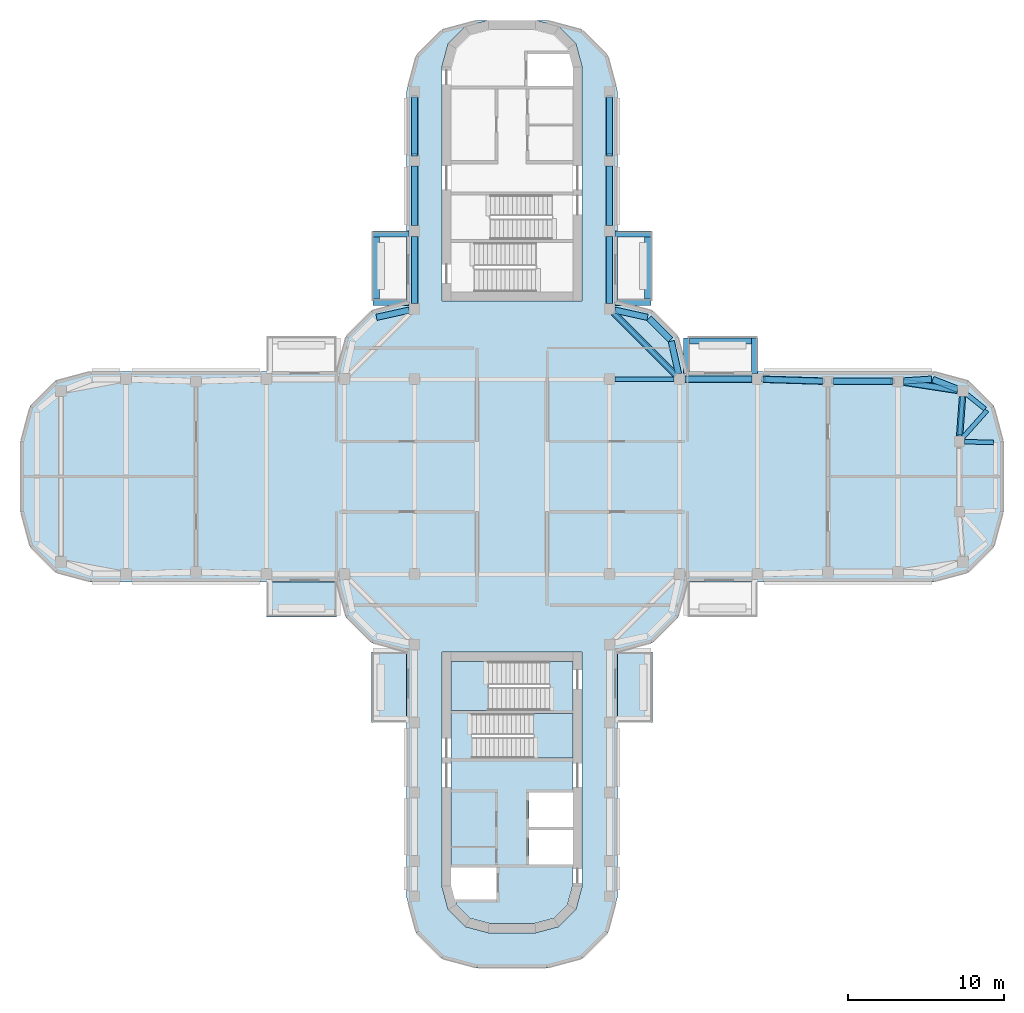
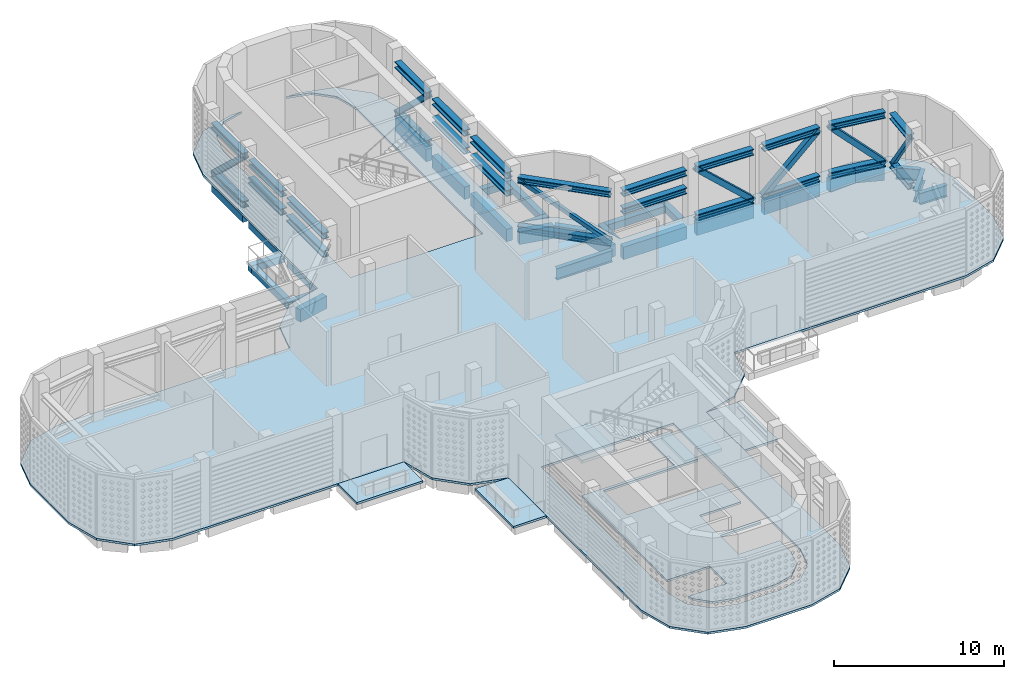
# One storey, part 3 of 20: 31 members, 28 beams, 7 slabs, 2 elements without a shape of their own.
"""IFC4 building model written with IfcOpenShell, lengths in metres."""

from ifc_helpers import new_model, si_unit, direction, frame, origin, origin_2d, place, context, subcontext, project, spatial, polyline, rectangle, hollow_rectangle, i_section, outline, extrude, material, layer, layer_set, material_profile, profile_set, type_object, element, aggregate, save


model = new_model("IFC4")

# Units and contexts
model_context = context("Model", 3, precision=1e-05, world=origin(), true_north=direction((0.0, 1.0)))
body_context = subcontext(model_context, "Body", "Model", "MODEL_VIEW")
ifc_project = project(units=[si_unit("LENGTHUNIT", "METRE"), si_unit("AREAUNIT", "SQUARE_METRE"), si_unit("VOLUMEUNIT", "CUBIC_METRE"), si_unit("PLANEANGLEUNIT", "RADIAN"), si_unit("MASSUNIT", "GRAM", prefix="KILO")], contexts=[model_context])

# Site, building, storey
site_placement = place(None, origin())
site = spatial("IfcSite", under=ifc_project, at=site_placement, CompositionType="ELEMENT")
building_placement = place(site_placement, origin())
building = spatial("IfcBuilding", under=site, at=building_placement, Name="Zarbagh Exchange Tower", CompositionType="ELEMENT")
storey_placement = place(building_placement, frame((0.0, 0.0, 244.800048828125)))
storey = spatial("IfcBuildingStorey", under=building, at=storey_placement, Name="L60", CompositionType="ELEMENT", Elevation=244.800048828125)

# Members
ifc_material_1 = material(Name="Steel ASTM A992 Gr 50", Category="steel")
ifc_material_profile_1 = material_profile(ifc_material_1, i_section(OverallWidth=0.408935546875, OverallDepth=0.42431640625, WebThickness=0.03271484375, FlangeThickness=0.052490234375, at=origin_2d()), Name="W14X283")
ifc_profile_set_1 = profile_set([ifc_material_profile_1], Name="Steel ASTM A992 Gr 50")
member_type_1 = type_object("IfcMemberType", Name="Belt truss chord W14X283", PredefinedType="CHORD", material=ifc_profile_set_1)
for number, where, z_axis, x_axis, name in (
    (1, (6.49755859375, 10.50244140625, 0.212158203125), (0.707106781187, -0.707106781187, 0.0), (0.707106781187, 0.707106781187, 0.0), "Belt truss chord"),
    (2, (6.49755859375, 10.50244140625, 3.7177734375), (0.707106781187, -0.707106781187, 0.0), (0.707106781187, 0.707106781187, 0.0), "Belt truss chord"),
):
    element("IfcMember", number, at=place(storey_placement, frame(where, z_axis=z_axis, x_axis=x_axis)), inside=storey, type_object=member_type_1, Name=name, PredefinedType="CHORD", context=body_context, shape_type="SweptSolid", body=[
        extrude(i_section(OverallWidth=0.408935546875, OverallDepth=0.42431640625, WebThickness=0.03271484375, FlangeThickness=0.052490234375, at=origin_2d()), origin(), (0.0, 0.0, 1.0), 5.663818359375),
    ])
for number, where, z_axis, x_axis, name in (
    (3, (28.882080078125, 5.1259765625, 0.212158203125), (-0.073520300379, -0.997293720742, 0.0), (0.997293720742, -0.073520300379, 0.0), "Belt truss chord"),
    (4, (28.882080078125, 5.1259765625, 3.7177734375), (-0.073520300379, -0.997293720742, 0.0), (0.997293720742, -0.073520300379, 0.0), "Belt truss chord"),
):
    element("IfcMember", number, at=place(storey_placement, frame(where, z_axis=z_axis, x_axis=x_axis)), inside=storey, type_object=member_type_1, Name=name, PredefinedType="CHORD", context=body_context, shape_type="SweptSolid", body=[
        extrude(i_section(OverallWidth=0.408935546875, OverallDepth=0.42431640625, WebThickness=0.03271484375, FlangeThickness=0.052490234375, at=origin_2d()), origin(), (0.0, 0.0, 1.0), 2.53369140625),
    ])
ifc_material_2 = material(Name="Steel ASTM A500 Gr C", Category="steel")
ifc_material_profile_2 = material_profile(ifc_material_2, hollow_rectangle(XDim=0.25390625, YDim=0.25390625, WallThickness=0.01171875, at=origin_2d()), Name="HSS10X10X1/2")
ifc_profile_set_2 = profile_set([ifc_material_profile_2], Name="Steel ASTM A500 Gr C")
member_type_2 = type_object("IfcMemberType", Name="Belt truss diagonal HSS10X10X1/2", PredefinedType="BRACE", material=ifc_profile_set_2)
member_1_placement = place(storey_placement, frame((10.50244140625, 6.49755859375, 0.212158203125), z_axis=(-0.6012530335, 0.6012530335, 0.52629799488), x_axis=(-0.707106781187, -0.707106781187, 0.0)))
element("IfcMember", 5, at=member_1_placement, inside=storey, type_object=member_type_2, Name="Belt truss diagonal", PredefinedType="BRACE", context=body_context, shape_type="SweptSolid", body=[
    extrude(hollow_rectangle(XDim=0.25390625, YDim=0.25390625, WallThickness=0.01171875, at=origin_2d()), origin(), (0.0, 0.0, 1.0), 6.660888671875),
])
member_2_placement = place(storey_placement, frame((28.882080078125, 5.1259765625, 0.212158203125), z_axis=(-0.043066430408, -0.584190766342, 0.810472967527), x_axis=(0.997293720742, -0.073520300379, 0.0)))
element("IfcMember", 6, at=member_2_placement, inside=storey, type_object=member_type_2, Name="Belt truss diagonal", PredefinedType="BRACE", context=body_context, shape_type="SweptSolid", body=[
    extrude(hollow_rectangle(XDim=0.25390625, YDim=0.25390625, WallThickness=0.01171875, at=origin_2d()), origin(), (0.0, 0.0, 1.0), 4.325439453125),
])

# Beams
ifc_material_profile_3 = material_profile(ifc_material_1, i_section(OverallWidth=0.2919921875, OverallDepth=0.835693359375, WebThickness=0.013916015625, FlangeThickness=0.018798828125, at=origin_2d()), Name="W33X118")
ifc_profile_set_3 = profile_set([ifc_material_profile_3], Name="Steel ASTM A992 Gr 50")
beam_type_1 = type_object("IfcBeamType", Name="Floor girder W33X118", PredefinedType="BEAM", material=ifc_profile_set_3)
beam_1_placement = place(storey_placement, frame((29.18115234375, 5.256103515625, -0.56787109375), z_axis=(0.780625690962, -0.624998824487, 0.0), x_axis=(0.624998824487, 0.780625690962, 0.0)))
element("IfcBeam", 7, at=beam_1_placement, inside=storey, type_object=beam_type_1, Name="Steel girder", PredefinedType="BEAM", context=body_context, shape_type="SweptSolid", body=[
    extrude(i_section(OverallWidth=0.2919921875, OverallDepth=0.835693359375, WebThickness=0.013916015625, FlangeThickness=0.018798828125, at=origin_2d()), origin(), (0.0, 0.0, 1.0), 1.469970703125),
])
beam_2_placement = place(storey_placement, frame((30.44873046875, 4.2412109375, -0.56787109375), z_axis=(-0.66615169279, -0.745816279115, 0.0), x_axis=(0.745816279115, -0.66615169279, 0.0)))
element("IfcBeam", 8, at=beam_2_placement, inside=storey, type_object=beam_type_1, Name="Steel girder", PredefinedType="BEAM", context=body_context, shape_type="SweptSolid", body=[
    extrude(i_section(OverallWidth=0.2919921875, OverallDepth=0.835693359375, WebThickness=0.013916015625, FlangeThickness=0.018798828125, at=origin_2d()), origin(), (0.0, 0.0, 1.0), 2.31982421875),
])
beam_3_placement = place(storey_placement, frame((29.02001953125, 2.239990234375, -0.56787109375), z_axis=(0.999603805015, -0.028146633904, 0.0), x_axis=(0.028146633904, 0.999603805015, 0.0)))
element("IfcBeam", 9, at=beam_3_placement, inside=storey, type_object=beam_type_1, Name="Steel girder", PredefinedType="BEAM", context=body_context, shape_type="SweptSolid", body=[
    extrude(i_section(OverallWidth=0.2919921875, OverallDepth=0.835693359375, WebThickness=0.013916015625, FlangeThickness=0.018798828125, at=origin_2d()), origin(), (0.0, 0.0, 1.0), 1.8388671875),
])
beam_4_placement = place(storey_placement, frame((6.60009765625, 6.25, -0.56787109375), z_axis=(1.0, 0.0, 0.0), x_axis=(0.0, 1.0, 0.0)))
element("IfcBeam", 10, at=beam_4_placement, inside=storey, type_object=beam_type_1, Name="Steel girder", PredefinedType="BEAM", context=body_context, shape_type="SweptSolid", body=[
    extrude(i_section(OverallWidth=0.2919921875, OverallDepth=0.835693359375, WebThickness=0.013916015625, FlangeThickness=0.018798828125, at=origin_2d()), origin(), (0.0, 0.0, 1.0), 3.7998046875),
])

# Members
ifc_material_profile_4 = material_profile(ifc_material_1, i_section(OverallWidth=0.41650390625, OverallDepth=0.444580078125, WebThickness=0.0390625, FlangeThickness=0.062744140625, at=origin_2d()), Name="W14X342")
ifc_profile_set_4 = profile_set([ifc_material_profile_4], Name="Steel ASTM A992 Gr 50")
member_type_3 = type_object("IfcMemberType", Name="Outrigger truss chord W14X342", PredefinedType="CHORD", material=ifc_profile_set_4)
for number, where, z_axis, x_axis, name in (
    (11, (-6.25, 11.10009765625, 2.42236328125), (0.0, 1.0, 0.0), (-1.0, 0.0, 0.0), "Outrigger truss chord"),
    (12, (-6.25, 11.10009765625, 3.707763671875), (0.0, 1.0, 0.0), (-1.0, 0.0, 0.0), "Outrigger truss chord"),
):
    element("IfcMember", number, at=place(storey_placement, frame(where, z_axis=z_axis, x_axis=x_axis)), inside=storey, type_object=member_type_3, Name=name, PredefinedType="CHORD", context=body_context, shape_type="SweptSolid", body=[
        extrude(i_section(OverallWidth=0.41650390625, OverallDepth=0.444580078125, WebThickness=0.0390625, FlangeThickness=0.062744140625, at=origin_2d()), origin(), (0.0, 0.0, 1.0), 4.2998046875),
    ])
for number, where, z_axis, x_axis, name in (
    (13, (-6.25, 16.10009765625, 2.42236328125), (0.0, 1.0, 0.0), (-1.0, 0.0, 0.0), "Outrigger truss chord"),
    (14, (-6.25, 16.10009765625, 3.707763671875), (0.0, 1.0, 0.0), (-1.0, 0.0, 0.0), "Outrigger truss chord"),
):
    element("IfcMember", number, at=place(storey_placement, frame(where, z_axis=z_axis, x_axis=x_axis)), inside=storey, type_object=member_type_3, Name=name, PredefinedType="CHORD", context=body_context, shape_type="SweptSolid", body=[
        extrude(i_section(OverallWidth=0.41650390625, OverallDepth=0.444580078125, WebThickness=0.0390625, FlangeThickness=0.062744140625, at=origin_2d()), origin(), (0.0, 0.0, 1.0), 3.7998046875),
    ])
for number, where, z_axis, x_axis, name in (
    (15, (-6.25, 20.60009765625, 0.22216796875), (0.0, 1.0, 0.0), (-1.0, 0.0, 0.0), "Outrigger truss chord"),
    (16, (-6.25, 20.60009765625, 3.707763671875), (0.0, 1.0, 0.0), (-1.0, 0.0, 0.0), "Outrigger truss chord"),
    (17, (6.25, 24.300048828125, 0.22216796875), (0.0, -1.0, 0.0), (1.0, 0.0, 0.0), "Outrigger truss chord"),
    (18, (6.25, 24.300048828125, 3.707763671875), (0.0, -1.0, 0.0), (1.0, 0.0, 0.0), "Outrigger truss chord"),
):
    element("IfcMember", number, at=place(storey_placement, frame(where, z_axis=z_axis, x_axis=x_axis)), inside=storey, type_object=member_type_3, Name=name, PredefinedType="CHORD", context=body_context, shape_type="SweptSolid", body=[
        extrude(i_section(OverallWidth=0.41650390625, OverallDepth=0.444580078125, WebThickness=0.0390625, FlangeThickness=0.062744140625, at=origin_2d()), origin(), (0.0, 0.0, 1.0), 3.699951171875),
    ])
for number, where, z_axis, x_axis, name in (
    (19, (6.25, 19.89990234375, 2.42236328125), (0.0, -1.0, 0.0), (1.0, 0.0, 0.0), "Outrigger truss chord"),
    (20, (6.25, 19.89990234375, 3.707763671875), (0.0, -1.0, 0.0), (1.0, 0.0, 0.0), "Outrigger truss chord"),
):
    element("IfcMember", number, at=place(storey_placement, frame(where, z_axis=z_axis, x_axis=x_axis)), inside=storey, type_object=member_type_3, Name=name, PredefinedType="CHORD", context=body_context, shape_type="SweptSolid", body=[
        extrude(i_section(OverallWidth=0.41650390625, OverallDepth=0.444580078125, WebThickness=0.0390625, FlangeThickness=0.062744140625, at=origin_2d()), origin(), (0.0, 0.0, 1.0), 3.7998046875),
    ])
for number, where, z_axis, x_axis, name in (
    (21, (6.25, 15.39990234375, 2.42236328125), (0.0, -1.0, 0.0), (1.0, 0.0, 0.0), "Outrigger truss chord"),
    (22, (6.25, 15.39990234375, 3.707763671875), (0.0, -1.0, 0.0), (1.0, 0.0, 0.0), "Outrigger truss chord"),
    (23, (11.10009765625, 6.25, 2.42236328125), (1.0, 0.0, 0.0), (0.0, 1.0, 0.0), "Outrigger truss chord"),
    (24, (11.10009765625, 6.25, 3.707763671875), (1.0, 0.0, 0.0), (0.0, 1.0, 0.0), "Outrigger truss chord"),
):
    element("IfcMember", number, at=place(storey_placement, frame(where, z_axis=z_axis, x_axis=x_axis)), inside=storey, type_object=member_type_3, Name=name, PredefinedType="CHORD", context=body_context, shape_type="SweptSolid", body=[
        extrude(i_section(OverallWidth=0.41650390625, OverallDepth=0.444580078125, WebThickness=0.0390625, FlangeThickness=0.062744140625, at=origin_2d()), origin(), (0.0, 0.0, 1.0), 4.2998046875),
    ])
for number, where, z_axis, x_axis, name in (
    (25, (16.099853515625, 6.239013671875, 0.22216796875), (0.999516950199, -0.031078389046, 0.0), (0.031078389046, 0.999516950199, 0.0), "Outrigger truss chord"),
    (26, (16.099853515625, 6.239013671875, 3.707763671875), (0.999516950199, -0.031078389046, 0.0), (0.031078389046, 0.999516950199, 0.0), "Outrigger truss chord"),
):
    element("IfcMember", number, at=place(storey_placement, frame(where, z_axis=z_axis, x_axis=x_axis)), inside=storey, type_object=member_type_3, Name=name, PredefinedType="CHORD", context=body_context, shape_type="SweptSolid", body=[
        extrude(i_section(OverallWidth=0.41650390625, OverallDepth=0.444580078125, WebThickness=0.0390625, FlangeThickness=0.062744140625, at=origin_2d()), origin(), (0.0, 0.0, 1.0), 3.80224609375),
    ])
for number, where, z_axis, x_axis, name in (
    (27, (20.60009765625, 6.110107421875, 0.22216796875), (1.0, 0.0, 0.0), (0.0, 1.0, 0.0), "Outrigger truss chord"),
    (28, (20.60009765625, 6.110107421875, 3.707763671875), (1.0, 0.0, 0.0), (0.0, 1.0, 0.0), "Outrigger truss chord"),
):
    element("IfcMember", number, at=place(storey_placement, frame(where, z_axis=z_axis, x_axis=x_axis)), inside=storey, type_object=member_type_3, Name=name, PredefinedType="CHORD", context=body_context, shape_type="SweptSolid", body=[
        extrude(i_section(OverallWidth=0.41650390625, OverallDepth=0.444580078125, WebThickness=0.0390625, FlangeThickness=0.062744140625, at=origin_2d()), origin(), (0.0, 0.0, 1.0), 3.7998046875),
    ])
for number, where, z_axis, x_axis, name in (
    (29, (25.095947265625, 6.05712890625, 0.22216796875), (0.988540131327, -0.150958301382, 0.0), (0.150958301382, 0.988540131327, 0.0), "Outrigger truss chord"),
    (30, (25.095947265625, 6.05712890625, 3.707763671875), (0.988540131327, -0.150958301382, 0.0), (0.150958301382, 0.988540131327, 0.0), "Outrigger truss chord"),
):
    element("IfcMember", number, at=place(storey_placement, frame(where, z_axis=z_axis, x_axis=x_axis)), inside=storey, type_object=member_type_3, Name=name, PredefinedType="CHORD", context=body_context, shape_type="SweptSolid", body=[
        extrude(i_section(OverallWidth=0.41650390625, OverallDepth=0.444580078125, WebThickness=0.0390625, FlangeThickness=0.062744140625, at=origin_2d()), origin(), (0.0, 0.0, 1.0), 3.50634765625),
    ])
ifc_material_profile_5 = material_profile(ifc_material_2, hollow_rectangle(XDim=0.355712890625, YDim=0.355712890625, WallThickness=0.014892578125, at=origin_2d()), Name="HSS14X14X5/8")
ifc_profile_set_5 = profile_set([ifc_material_profile_5], Name="Steel ASTM A500 Gr C")
member_type_4 = type_object("IfcMemberType", Name="Outrigger truss diagonal HSS14X14X5/8", PredefinedType="BRACE", material=ifc_profile_set_5)
for number, where, z_axis, x_axis, name in (
    (31, (-6.25, 24.300048828125, 0.22216796875), (0.0, -0.727877017093, 0.68570769865), (1.0, 0.0, 0.0), "Outrigger truss diagonal"),
    (32, (6.25, 24.300048828125, 0.22216796875), (0.0, -0.727877017093, 0.68570769865), (1.0, 0.0, 0.0), "Outrigger truss diagonal"),
):
    element("IfcMember", number, at=place(storey_placement, frame(where, z_axis=z_axis, x_axis=x_axis)), inside=storey, type_object=member_type_4, Name=name, PredefinedType="BRACE", context=body_context, shape_type="SweptSolid", body=[
        extrude(hollow_rectangle(XDim=0.355712890625, YDim=0.355712890625, WallThickness=0.014892578125, at=origin_2d()), origin(), (0.0, 0.0, 1.0), 5.083251953125),
    ])
member_3_placement = place(storey_placement, frame((19.900146484375, 6.120849609375, 0.22216796875), z_axis=(-0.736768111105, 0.022908632004, 0.675757312235), x_axis=(-0.031078389046, -0.999516950199, 0.0)))
element("IfcMember", 33, at=member_3_placement, inside=storey, type_object=member_type_4, Name="Outrigger truss diagonal", PredefinedType="BRACE", context=body_context, shape_type="SweptSolid", body=[
    extrude(hollow_rectangle(XDim=0.355712890625, YDim=0.355712890625, WallThickness=0.014892578125, at=origin_2d()), origin(), (0.0, 0.0, 1.0), 5.157958984375),
])
member_4_placement = place(storey_placement, frame((20.60009765625, 6.110107421875, 0.22216796875), z_axis=(0.736918250587, 0.0, 0.675981872502), x_axis=(0.0, 1.0, 0.0)))
element("IfcMember", 34, at=member_4_placement, inside=storey, type_object=member_type_4, Name="Outrigger truss diagonal", PredefinedType="BRACE", context=body_context, shape_type="SweptSolid", body=[
    extrude(hollow_rectangle(XDim=0.355712890625, YDim=0.355712890625, WallThickness=0.014892578125, at=origin_2d()), origin(), (0.0, 0.0, 1.0), 5.15625),
])
member_5_placement = place(storey_placement, frame((28.56201171875, 5.52783203125, 0.22216796875), z_axis=(-0.701064825451, 0.107058430766, 0.705015321051), x_axis=(-0.150958301382, -0.988540131327, 0.0)))
element("IfcMember", 35, at=member_5_placement, inside=storey, type_object=member_type_4, Name="Outrigger truss diagonal", PredefinedType="BRACE", context=body_context, shape_type="SweptSolid", body=[
    extrude(hollow_rectangle(XDim=0.355712890625, YDim=0.355712890625, WallThickness=0.014892578125, at=origin_2d()), origin(), (0.0, 0.0, 1.0), 4.944091796875),
])

# Beams
ifc_material_3 = material(Name="Concrete C40/50", Category="concrete")
ifc_material_profile_6 = material_profile(ifc_material_3, rectangle(XDim=0.39990234375, YDim=0.5, at=origin_2d()), Name="RC bay edge beam 400 x 500 C40/50")
ifc_profile_set_6 = profile_set([ifc_material_profile_6], Name="Concrete C40/50")
beam_type_2 = type_object("IfcBeamType", Name="RC bay edge beam 400 x 500 C40/50", PredefinedType="BEAM", material=ifc_profile_set_6)
for number, where, z_axis, x_axis, name in (
    (36, (8.699951171875, 11.3798828125, -0.400146484375), (0.0, 1.0, 0.0), (-1.0, 0.0, 0.0), "RC bay edge beam"),
    (37, (11.3798828125, 8.699951171875, -0.400146484375), (1.0, 0.0, 0.0), (0.0, 1.0, 0.0), "RC bay edge beam"),
    (38, (-8.699951171875, 11.3798828125, -0.400146484375), (0.0, 1.0, 0.0), (-1.0, 0.0, 0.0), "RC bay edge beam"),
):
    element("IfcBeam", number, at=place(storey_placement, frame(where, z_axis=z_axis, x_axis=x_axis)), inside=storey, type_object=beam_type_2, Name=name, PredefinedType="BEAM", context=body_context, shape_type="SweptSolid", body=[
        extrude(rectangle(XDim=0.39990234375, YDim=0.5, at=origin_2d()), origin(), (0.0, 0.0, 1.0), 3.97021484375),
    ])
ifc_material_profile_7 = material_profile(ifc_material_3, rectangle(XDim=0.39990234375, YDim=0.5, at=origin_2d()), Name="RC cantilever beam 400 x 500 C40/50")
ifc_profile_set_7 = profile_set([ifc_material_profile_7], Name="Concrete C40/50")
beam_type_3 = type_object("IfcBeamType", Name="RC cantilever beam 400 x 500 C40/50", PredefinedType="BEAM", material=ifc_profile_set_7)
for number, where, z_axis, x_axis, name in (
    (39, (6.60009765625, 11.179931640625, -0.400146484375), (1.0, 0.0, 0.0), (0.0, 1.0, 0.0), "RC cantilever beam"),
    (40, (6.60009765625, 15.550048828125, -0.400146484375), (1.0, 0.0, 0.0), (0.0, 1.0, 0.0), "RC cantilever beam"),
    (41, (11.179931640625, 6.60009765625, -0.400146484375), (0.0, 1.0, 0.0), (-1.0, 0.0, 0.0), "RC cantilever beam"),
    (42, (15.550048828125, 6.60009765625, -0.400146484375), (0.0, 1.0, 0.0), (-1.0, 0.0, 0.0), "RC cantilever beam"),
    (43, (-6.60009765625, 11.179931640625, -0.400146484375), (-1.0, 0.0, 0.0), (0.0, -1.0, 0.0), "RC cantilever beam"),
    (44, (-6.60009765625, 15.550048828125, -0.400146484375), (-1.0, 0.0, 0.0), (0.0, -1.0, 0.0), "RC cantilever beam"),
):
    element("IfcBeam", number, at=place(storey_placement, frame(where, z_axis=z_axis, x_axis=x_axis)), inside=storey, type_object=beam_type_3, Name=name, PredefinedType="BEAM", context=body_context, shape_type="SweptSolid", body=[
        extrude(rectangle(XDim=0.39990234375, YDim=0.5, at=origin_2d()), origin(), (0.0, 0.0, 1.0), 2.2998046875),
    ])
ifc_material_4 = material(Name="Concrete C50/60", Category="concrete")
ifc_material_profile_8 = material_profile(ifc_material_4, rectangle(XDim=0.39990234375, YDim=0.89990234375, at=origin_2d()), Name="RC spandrel beam 400 x 900 C50/60")
ifc_profile_set_8 = profile_set([ifc_material_profile_8], Name="Concrete C50/60")
beam_type_4 = type_object("IfcBeamType", Name="RC spandrel beam 400 x 900 C50/60", PredefinedType="SPANDREL", material=ifc_profile_set_8)
beam_5_placement = place(storey_placement, frame((-8.68408203125, 10.21142578125, -0.60009765625), z_axis=(0.97639036545, 0.216013551096, 0.0), x_axis=(-0.216013551096, 0.97639036545, 0.0)))
element("IfcBeam", 45, at=beam_5_placement, inside=storey, type_object=beam_type_4, Name="RC spandrel beam", PredefinedType="SPANDREL", context=body_context, shape_type="SweptSolid", body=[
    extrude(rectangle(XDim=0.39990234375, YDim=0.89990234375, at=origin_2d()), origin(), (0.0, 0.0, 1.0), 2.142822265625),
])
beam_6_placement = place(storey_placement, frame((-6.25, 11.10009765625, -0.60009765625), z_axis=(0.0, 1.0, 0.0), x_axis=(-1.0, 0.0, 0.0)))
element("IfcBeam", 46, at=beam_6_placement, inside=storey, type_object=beam_type_4, Name="RC spandrel beam", PredefinedType="SPANDREL", context=body_context, shape_type="SweptSolid", body=[
    extrude(rectangle(XDim=0.39990234375, YDim=0.89990234375, at=origin_2d()), origin(), (0.0, 0.0, 1.0), 4.2998046875),
])
beam_7_placement = place(storey_placement, frame((-6.25, 16.10009765625, -0.60009765625), z_axis=(0.0, 1.0, 0.0), x_axis=(-1.0, 0.0, 0.0)))
element("IfcBeam", 47, at=beam_7_placement, inside=storey, type_object=beam_type_4, Name="RC spandrel beam", PredefinedType="SPANDREL", context=body_context, shape_type="SweptSolid", body=[
    extrude(rectangle(XDim=0.39990234375, YDim=0.89990234375, at=origin_2d()), origin(), (0.0, 0.0, 1.0), 3.7998046875),
])
for number, where, z_axis, x_axis, name in (
    (48, (-6.25, 20.60009765625, -0.60009765625), (0.0, 1.0, 0.0), (-1.0, 0.0, 0.0), "RC spandrel beam"),
    (49, (6.25, 24.300048828125, -0.60009765625), (0.0, -1.0, 0.0), (1.0, 0.0, 0.0), "RC spandrel beam"),
):
    element("IfcBeam", number, at=place(storey_placement, frame(where, z_axis=z_axis, x_axis=x_axis)), inside=storey, type_object=beam_type_4, Name=name, PredefinedType="SPANDREL", context=body_context, shape_type="SweptSolid", body=[
        extrude(rectangle(XDim=0.39990234375, YDim=0.89990234375, at=origin_2d()), origin(), (0.0, 0.0, 1.0), 3.699951171875),
    ])
beam_8_placement = place(storey_placement, frame((6.25, 19.89990234375, -0.60009765625), z_axis=(0.0, -1.0, 0.0), x_axis=(1.0, 0.0, 0.0)))
element("IfcBeam", 50, at=beam_8_placement, inside=storey, type_object=beam_type_4, Name="RC spandrel beam", PredefinedType="SPANDREL", context=body_context, shape_type="SweptSolid", body=[
    extrude(rectangle(XDim=0.39990234375, YDim=0.89990234375, at=origin_2d()), origin(), (0.0, 0.0, 1.0), 3.7998046875),
])
beam_9_placement = place(storey_placement, frame((6.25, 15.39990234375, -0.60009765625), z_axis=(0.0, -1.0, 0.0), x_axis=(1.0, 0.0, 0.0)))
element("IfcBeam", 51, at=beam_9_placement, inside=storey, type_object=beam_type_4, Name="RC spandrel beam", PredefinedType="SPANDREL", context=body_context, shape_type="SweptSolid", body=[
    extrude(rectangle(XDim=0.39990234375, YDim=0.89990234375, at=origin_2d()), origin(), (0.0, 0.0, 1.0), 4.2998046875),
])
beam_10_placement = place(storey_placement, frame((6.591796875, 10.67431640625, -0.60009765625), z_axis=(0.97639036545, -0.216013551096, 0.0), x_axis=(0.216013551096, 0.97639036545, 0.0)))
element("IfcBeam", 52, at=beam_10_placement, inside=storey, type_object=beam_type_4, Name="RC spandrel beam", PredefinedType="SPANDREL", context=body_context, shape_type="SweptSolid", body=[
    extrude(rectangle(XDim=0.39990234375, YDim=0.89990234375, at=origin_2d()), origin(), (0.0, 0.0, 1.0), 2.142822265625),
])
beam_11_placement = place(storey_placement, frame((8.782470703125, 10.15771484375, -0.60009765625), z_axis=(0.707106781187, -0.707106781187, 0.0), x_axis=(0.707106781187, 0.707106781187, 0.0)))
element("IfcBeam", 53, at=beam_11_placement, inside=storey, type_object=beam_type_4, Name="RC spandrel beam", PredefinedType="SPANDREL", context=body_context, shape_type="SweptSolid", body=[
    extrude(rectangle(XDim=0.39990234375, YDim=0.89990234375, at=origin_2d()), origin(), (0.0, 0.0, 1.0), 1.94482421875),
])
beam_12_placement = place(storey_placement, frame((10.21142578125, 8.68408203125, -0.60009765625), z_axis=(0.216013551096, -0.97639036545, 0.0), x_axis=(0.97639036545, 0.216013551096, 0.0)))
element("IfcBeam", 54, at=beam_12_placement, inside=storey, type_object=beam_type_4, Name="RC spandrel beam", PredefinedType="SPANDREL", context=body_context, shape_type="SweptSolid", body=[
    extrude(rectangle(XDim=0.39990234375, YDim=0.89990234375, at=origin_2d()), origin(), (0.0, 0.0, 1.0), 2.142822265625),
])
beam_13_placement = place(storey_placement, frame((11.10009765625, 6.25, -0.60009765625), z_axis=(1.0, 0.0, 0.0), x_axis=(0.0, 1.0, 0.0)))
element("IfcBeam", 55, at=beam_13_placement, inside=storey, type_object=beam_type_4, Name="RC spandrel beam", PredefinedType="SPANDREL", context=body_context, shape_type="SweptSolid", body=[
    extrude(rectangle(XDim=0.39990234375, YDim=0.89990234375, at=origin_2d()), origin(), (0.0, 0.0, 1.0), 4.2998046875),
])
beam_14_placement = place(storey_placement, frame((16.099853515625, 6.239013671875, -0.60009765625), z_axis=(0.999516950199, -0.031078389046, 0.0), x_axis=(0.031078389046, 0.999516950199, 0.0)))
element("IfcBeam", 56, at=beam_14_placement, inside=storey, type_object=beam_type_4, Name="RC spandrel beam", PredefinedType="SPANDREL", context=body_context, shape_type="SweptSolid", body=[
    extrude(rectangle(XDim=0.39990234375, YDim=0.89990234375, at=origin_2d()), origin(), (0.0, 0.0, 1.0), 3.80224609375),
])
beam_15_placement = place(storey_placement, frame((20.60009765625, 6.110107421875, -0.60009765625), z_axis=(1.0, 0.0, 0.0), x_axis=(0.0, 1.0, 0.0)))
element("IfcBeam", 57, at=beam_15_placement, inside=storey, type_object=beam_type_4, Name="RC spandrel beam", PredefinedType="SPANDREL", context=body_context, shape_type="SweptSolid", body=[
    extrude(rectangle(XDim=0.39990234375, YDim=0.89990234375, at=origin_2d()), origin(), (0.0, 0.0, 1.0), 3.7998046875),
])
beam_16_placement = place(storey_placement, frame((25.099365234375, 6.13232421875, -0.60009765625), z_axis=(0.997943601797, 0.064098109429, 0.0), x_axis=(-0.064098109429, 0.997943601797, 0.0)))
element("IfcBeam", 58, at=beam_16_placement, inside=storey, type_object=beam_type_4, Name="RC spandrel beam", PredefinedType="SPANDREL", context=body_context, shape_type="SweptSolid", body=[
    extrude(rectangle(XDim=0.39990234375, YDim=0.89990234375, at=origin_2d()), origin(), (0.0, 0.0, 1.0), 1.7939453125),
])
beam_17_placement = place(storey_placement, frame((26.9755859375, 6.233642578125, -0.60009765625), z_axis=(0.930818525178, -0.365481700207, 0.0), x_axis=(0.365481700207, 0.930818525178, 0.0)))
element("IfcBeam", 59, at=beam_17_placement, inside=storey, type_object=beam_type_4, Name="RC spandrel beam", PredefinedType="SPANDREL", context=body_context, shape_type="SweptSolid", body=[
    extrude(rectangle(XDim=0.39990234375, YDim=0.89990234375, at=origin_2d()), origin(), (0.0, 0.0, 1.0), 1.72607421875),
])

# Slabs
ifc_layer_1 = layer(ifc_material_3, 0.14990234375)
ifc_layer_set_1 = layer_set([ifc_layer_1], Name="Composite floor slab 150 C40/50")
slab_type_1 = type_object("IfcSlabType", Name="Composite floor slab 150 C40/50", PredefinedType="FLOOR", material=ifc_layer_set_1)
slab_1_placement = place(storey_placement, frame((0.0, 0.0, -0.150146484375)))
element("IfcSlab", 60, at=slab_1_placement, inside=storey, type_object=slab_type_1, Name="S5 composite floor slab", PredefinedType="FLOOR", context=body_context, shape_type="SweptSolid", body=[
    extrude(outline(polyline([(-2.25, -31.5), (-4.5, -30.897216796875), (-6.147216796875, -29.25), (-6.75, -27.0), (-6.75, -11.25), (-9.0, -10.647216796875), (-10.647216796875, -9.0), (-11.25, -6.75), (-27.0, -6.75), (-29.25, -6.147216796875), (-30.897216796875, -4.5), (-31.5, -2.25), (-31.5, 2.25), (-30.897216796875, 4.5), (-29.25, 6.147216796875), (-27.0, 6.75), (-11.25, 6.75), (-10.647216796875, 9.0), (-9.0, 10.647216796875), (-6.75, 11.25), (-6.75, 24.75), (-6.147216796875, 27.0), (-4.5, 28.647216796875), (-2.25, 29.25), (-1.5, 29.25), (-3.0, 28.84814453125), (-4.09814453125, 27.75), (-4.5, 26.25), (-4.5, 11.25), (4.5, 11.25), (4.5, 26.25), (4.09814453125, 27.75), (3.0, 28.84814453125), (1.5, 29.25), (2.25, 29.25), (4.5, 28.647216796875), (6.147216796875, 27.0), (6.75, 24.75), (6.75, 11.25), (9.0, 10.647216796875), (10.647216796875, 9.0), (11.25, 6.75), (27.0, 6.75), (29.25, 6.147216796875), (30.897216796875, 4.5), (31.5, 2.25), (31.5, -2.25), (30.897216796875, -4.5), (29.25, -6.147216796875), (27.0, -6.75), (11.25, -6.75), (10.647216796875, -9.0), (9.0, -10.647216796875), (6.75, -11.25), (6.75, -27.0), (6.147216796875, -29.25), (4.5, -30.897216796875), (2.25, -31.5), (-2.25, -31.5)]), holes=[polyline([(-1.5, -29.25), (1.5, -29.25), (3.0, -28.84814453125), (4.09814453125, -27.75), (4.5, -26.25), (4.5, -11.25), (-4.5, -11.25), (-4.5, -26.25), (-4.09814453125, -27.75), (-3.0, -28.84814453125), (-1.5, -29.25)])]), origin(), (0.0, 0.0, 1.0), 0.150146484375),
])
ifc_layer_2 = layer(ifc_material_3, 0.14990234375)
ifc_layer_set_2 = layer_set([ifc_layer_2], Name="Core floor slab 150 C40/50")
slab_type_2 = type_object("IfcSlabType", Name="Core floor slab 150 C40/50", PredefinedType="FLOOR", material=ifc_layer_set_2)
slab_2_placement = place(storey_placement, frame((0.0, 0.0, -0.150146484375)))
element("IfcSlab", 61, at=slab_2_placement, inside=storey, type_object=slab_type_2, Name="S17 core S", PredefinedType="FLOOR", context=body_context, shape_type="SweptSolid", body=[
    extrude(outline(polyline([(-2.689453125, -28.31005859375), (-3.56005859375, -27.439453125), (-3.651123046875, -27.10009765625), (-1.0, -27.10009765625), (-1.0, -25.050048828125), (-3.89990234375, -25.050048828125), (-3.89990234375, -15.0), (2.39990234375, -15.0), (2.39990234375, -11.85009765625), (3.89990234375, -11.85009765625), (3.89990234375, -15.199951171875), (-2.550048828125, -15.199951171875), (-2.550048828125, -18.050048828125), (3.89990234375, -18.050048828125), (3.89990234375, -20.25), (1.10009765625, -20.25), (1.10009765625, -22.449951171875), (3.89990234375, -22.449951171875), (3.89990234375, -22.64990234375), (1.10009765625, -22.64990234375), (1.10009765625, -24.85009765625), (3.89990234375, -24.85009765625), (3.89990234375, -26.1708984375), (3.56005859375, -27.439453125), (2.689453125, -28.31005859375), (1.4208984375, -28.64990234375), (-1.4208984375, -28.64990234375), (-2.689453125, -28.31005859375)])), origin(), (0.0, 0.0, 1.0), 0.150146484375),
])

# Stair, slab
stair_type = type_object("IfcStairType", Name="Exit stair two-flight half-turn", PredefinedType="HALF_TURN_STAIR", material=ifc_material_3)
stair_1_placement = place(storey_placement, origin())
stair_1 = element("IfcStair", 62, at=stair_1_placement, inside=storey, type_object=stair_type, Name="exit stair ST3", PredefinedType="HALF_TURN_STAIR")
ifc_layer_3 = layer(ifc_material_3, 0.199951171875)
ifc_layer_set_3 = layer_set([ifc_layer_3], Name="Stair landing 200 mm")
slab_type_3 = type_object("IfcSlabType", Name="Stair landing 200 mm", PredefinedType="LANDING", material=ifc_layer_set_3)
slab_3_placement = place(storey_placement, frame((0.0, 0.0, 2.300048828125)))
slab_3 = element("IfcSlab", 63, at=slab_3_placement, type_object=slab_type_3, Name="ST3 landing 1", PredefinedType="LANDING", context=body_context, shape_type="SweptSolid", body=[
    extrude(outline(polyline([(1.3701171875, -18.050048828125), (3.89990234375, -18.050048828125), (3.89990234375, -15.199951171875), (1.3701171875, -15.199951171875), (1.3701171875, -18.050048828125)])), origin(), (0.0, 0.0, 1.0), 0.199951171875),
])
aggregate(stair_1, [slab_3])

stair_2_placement = place(storey_placement, origin())
stair_2 = element("IfcStair", 64, at=stair_2_placement, inside=storey, type_object=stair_type, Name="exit stair ST4", PredefinedType="HALF_TURN_STAIR")
slab_4_placement = place(storey_placement, frame((0.0, 0.0, 2.300048828125)))
slab_4 = element("IfcSlab", 65, at=slab_4_placement, type_object=slab_type_3, Name="ST4 landing 1", PredefinedType="LANDING", context=body_context, shape_type="SweptSolid", body=[
    extrude(outline(polyline([(-1.52001953125, -11.85009765625), (-3.89990234375, -11.85009765625), (-3.89990234375, -15.0), (-1.52001953125, -15.0), (-1.52001953125, -11.85009765625)])), origin(), (0.0, 0.0, 1.0), 0.199951171875),
])
aggregate(stair_2, [slab_4])

# Slabs
ifc_layer_4 = layer(ifc_material_3, 0.14990234375)
ifc_layer_set_4 = layer_set([ifc_layer_4], Name="Winter garden terrace slab 150 C40/50")
slab_type_4 = type_object("IfcSlabType", Name="Winter garden terrace slab 150 C40/50", PredefinedType="USERDEFINED", material=ifc_layer_set_4)
slab_5_placement = place(storey_placement, frame((0.0, 0.0, -0.150146484375)))
element("IfcSlab", 66, at=slab_5_placement, inside=storey, type_object=slab_type_4, Name="S9 winter garden terrace slab", ObjectType="Winter garden slab", PredefinedType="USERDEFINED", context=body_context, shape_type="SweptSolid", body=[
    extrude(outline(polyline([(9.0, -15.75), (9.0, -11.25), (6.75, -11.25), (6.75, -15.75), (9.0, -15.75)])), origin(), (0.0, 0.0, 1.0), 0.150146484375),
])
slab_6_placement = place(storey_placement, frame((0.0, 0.0, -0.150146484375)))
element("IfcSlab", 67, at=slab_6_placement, inside=storey, type_object=slab_type_4, Name="S9 winter garden terrace slab", ObjectType="Winter garden slab", PredefinedType="USERDEFINED", context=body_context, shape_type="SweptSolid", body=[
    extrude(outline(polyline([(-6.75, -15.75), (-6.75, -11.25), (-9.0, -11.25), (-9.0, -15.75), (-6.75, -15.75)])), origin(), (0.0, 0.0, 1.0), 0.150146484375),
])
slab_7_placement = place(storey_placement, frame((0.0, 0.0, -0.150146484375)))
element("IfcSlab", 68, at=slab_7_placement, inside=storey, type_object=slab_type_4, Name="S9 winter garden terrace slab", ObjectType="Winter garden slab", PredefinedType="USERDEFINED", context=body_context, shape_type="SweptSolid", body=[
    extrude(outline(polyline([(-11.25, -9.0), (-11.25, -6.75), (-15.75, -6.75), (-15.75, -9.0), (-11.25, -9.0)])), origin(), (0.0, 0.0, 1.0), 0.150146484375),
])

save(model, "model.ifc")
